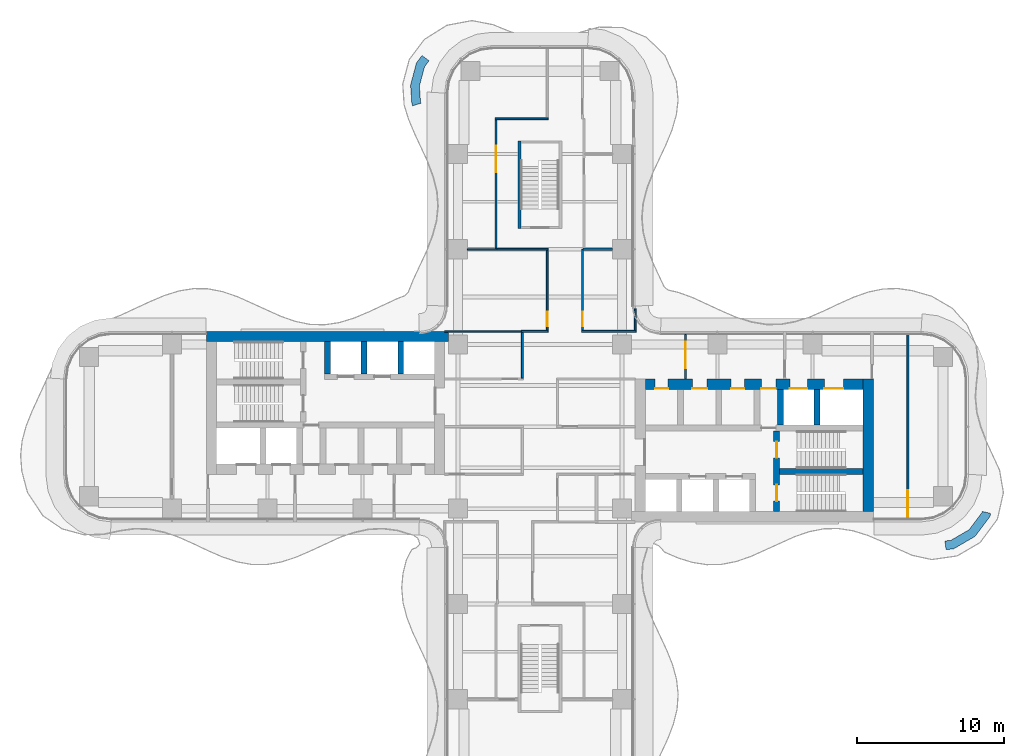
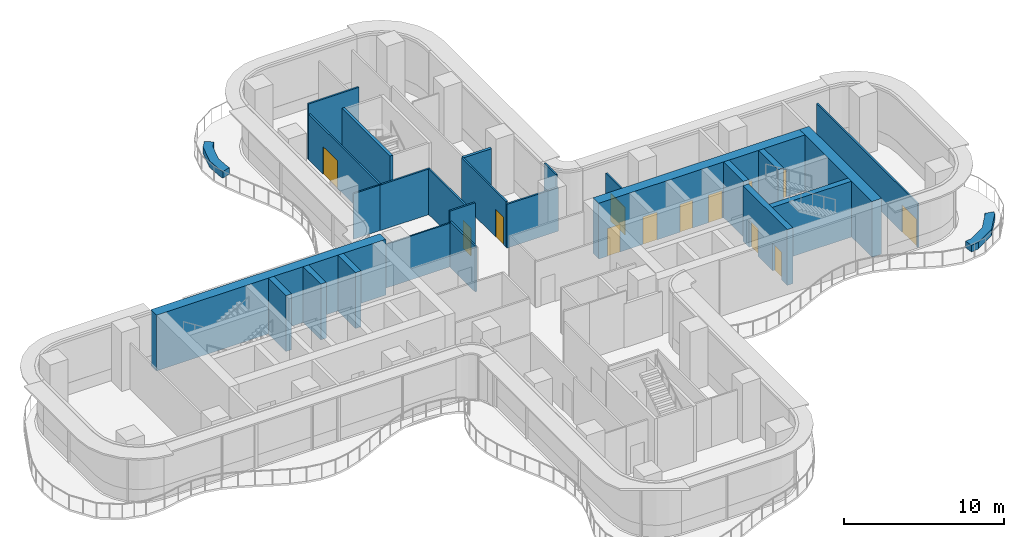
# One storey, part 17 of 20: 27 walls, 13 doors, 13 openings.
"""IFC4 building model written with IfcOpenShell, lengths in metres."""

from ifc_helpers import new_model, si_unit, direction, frame, frame_2d, origin, place, context, subcontext, project, spatial, polyline, rectangle, outline, extrude, source, transform, mapped, material, layer, layer_set, type_object, element, fill, save


model = new_model("IFC4")

# Units and contexts
model_context = context("Model", 3, precision=1e-05, world=origin(), true_north=direction((0.0, 1.0)))
body_context = subcontext(model_context, "Body", "Model", "MODEL_VIEW")
ifc_project = project(units=[si_unit("LENGTHUNIT", "METRE"), si_unit("AREAUNIT", "SQUARE_METRE"), si_unit("VOLUMEUNIT", "CUBIC_METRE"), si_unit("PLANEANGLEUNIT", "RADIAN"), si_unit("MASSUNIT", "GRAM", prefix="KILO")], contexts=[model_context])

# Site, building, storey
site_placement = place(None, origin())
site = spatial("IfcSite", under=ifc_project, at=site_placement, CompositionType="ELEMENT")
building_placement = place(site_placement, origin())
building = spatial("IfcBuilding", under=site, at=building_placement, Name="Trellis Farm Tower", CompositionType="ELEMENT")
storey_placement = place(building_placement, frame((0.0, 0.0, 129.0)))
storey = spatial("IfcBuildingStorey", under=building, at=storey_placement, Name="L27", CompositionType="ELEMENT", Elevation=129.0)

# Walls
ifc_material_1 = material(Name="Sandstone faced masonry planter", Category="masonry")
ifc_layer_1 = layer(ifc_material_1, 0.60009765625)
ifc_layer_set_1 = layer_set([ifc_layer_1], Name="PLANTER BED 600")
wall_type_1 = type_object("IfcWallType", Name="PLANTER BED 600", PredefinedType="USERDEFINED", material=ifc_layer_set_1)
placement = place(storey_placement, origin())
element("IfcWall", 1, at=placement, inside=storey, type_object=wall_type_1, Name="PLANTER bed", ObjectType="PLANTER", PredefinedType="USERDEFINED", context=body_context, shape_type="SweptSolid", body=[
    extrude(outline(polyline([(30.706298828125, -6.12158203125), (29.684814453125, -7.489013671875), (28.239990234375, -8.330078125), (27.70751953125, -8.400634765625), (27.628662109375, -7.805908203125), (28.0419921875, -7.751220703125), (29.277099609375, -7.031982421875), (30.150146484375, -5.86376953125), (30.168701171875, -5.782958984375), (30.75341796875, -5.917724609375), (30.706298828125, -6.12158203125)])), origin(), (0.0, 0.0, 1.0), 0.5),
])
element("IfcWall", 2, at=placement, inside=storey, type_object=wall_type_1, Name="PLANTER bed", ObjectType="PLANTER", PredefinedType="USERDEFINED", context=body_context, shape_type="SweptSolid", body=[
    extrude(outline(polyline([(-8.826904296875, 23.302001953125), (-8.42578125, 24.814208984375), (-8.0439453125, 25.3203125), (-7.56494140625, 24.958740234375), (-7.8759765625, 24.546630859375), (-8.2216796875, 23.243896484375), (-8.14892578125, 22.1806640625), (-8.11328125, 22.063720703125), (-8.686767578125, 21.8876953125), (-8.742919921875, 22.07080078125), (-8.826904296875, 23.302001953125)])), origin(), (0.0, 0.0, 1.0), 0.5),
])
ifc_material_2 = material(Name="Concrete C70/85", Category="concrete")
ifc_layer_2 = layer(ifc_material_2, 0.699951171875)
ifc_layer_set_2 = layer_set([ifc_layer_2], Name="CORE OUTER WALL 700 CONCRETE C70/85")
wall_type_2 = type_object("IfcWallType", Name="CORE OUTER WALL 700 CONCRETE C70/85", PredefinedType="SHEAR", material=ifc_layer_set_2)
shared_shape_1 = source(origin(), body_context, "Body", "SweptSolid", [
    extrude(rectangle(XDim=9.050048828125, YDim=0.699951171875, at=frame_2d((4.52490234375, 0.0))), origin(), (0.0, 0.0, 1.0), 4.25),
])
wall_3_placement = place(storey_placement, frame((22.39990234375, -5.800048828125, 0.0), z_axis=(0.0, 0.0, 1.0), x_axis=(0.0, 1.0, 0.0)))
element("IfcWall", 3, at=wall_3_placement, inside=storey, type_object=wall_type_2, Name="Core wall", PredefinedType="SHEAR", context=body_context, shape_type="MappedRepresentation", body=[
    mapped(shared_shape_1, transform((0.0, 0.0, 0.0))),
])
ifc_layer_3 = layer(ifc_material_2, 0.39990234375)
ifc_layer_set_3 = layer_set([ifc_layer_3], Name="CORE INNER WALL 400 CONCRETE C70/85")
wall_type_3 = type_object("IfcWallType", Name="CORE INNER WALL 400 CONCRETE C70/85", PredefinedType="SHEAR", material=ifc_layer_set_3)
shared_shape_2 = source(origin(), body_context, "Body", "SweptSolid", [
    extrude(rectangle(XDim=2.199951171875, YDim=0.39990234375, at=frame_2d((1.10009765625, 0.0))), origin(), (0.0, 0.0, 1.0), 4.25),
])
for number, where, z_axis, x_axis, name in (
    (4, (-9.5, 5.800048828125, 0.0), (0.0, 0.0, 1.0), (0.0, -1.0, 0.0), "Core wall"),
    (5, (-12.0, 5.800048828125, 0.0), (0.0, 0.0, 1.0), (0.0, -1.0, 0.0), "Core wall"),
    (6, (-14.5, 5.800048828125, 0.0), (0.0, 0.0, 1.0), (0.0, -1.0, 0.0), "Core wall"),
):
    element("IfcWall", number, at=place(storey_placement, frame(where, z_axis=z_axis, x_axis=x_axis)), inside=storey, type_object=wall_type_3, Name=name, PredefinedType="SHEAR", context=body_context, shape_type="MappedRepresentation", body=[
        mapped(shared_shape_2, transform((0.0, 0.0, 0.0))),
    ])
shared_shape_3 = source(origin(), body_context, "Body", "SweptSolid", [
    extrude(rectangle(XDim=2.449951171875, YDim=0.39990234375, at=frame_2d((1.22509765625, 0.0))), origin(), (0.0, 0.0, 1.0), 4.25),
])
for number, where, z_axis, x_axis, name in (
    (7, (16.39990234375, 0.10009765625, 0.0), (0.0, 0.0, 1.0), (0.0, 1.0, 0.0), "Core wall"),
    (8, (18.89990234375, 0.10009765625, 0.0), (0.0, 0.0, 1.0), (0.0, 1.0, 0.0), "Core wall"),
):
    element("IfcWall", number, at=place(storey_placement, frame(where, z_axis=z_axis, x_axis=x_axis)), inside=storey, type_object=wall_type_3, Name=name, PredefinedType="SHEAR", context=body_context, shape_type="MappedRepresentation", body=[
        mapped(shared_shape_3, transform((0.0, 0.0, 0.0))),
    ])

# Wall, openings, doors
shared_shape_4 = source(origin(), body_context, "Body", "SweptSolid", [
    extrude(rectangle(XDim=14.85009765625, YDim=0.699951171875, at=frame_2d((7.425048828125, 0.0))), origin(), (0.0, 0.0, 1.0), 4.25),
])
wall_4_placement = place(storey_placement, frame((7.199951171875, 2.89990234375, 0.0), z_axis=(0.0, 0.0, 1.0), x_axis=(1.0, 0.0, 0.0)))
wall_4 = element("IfcWall", 9, at=wall_4_placement, inside=storey, type_object=wall_type_2, Name="Core wall", PredefinedType="SHEAR", context=body_context, shape_type="MappedRepresentation", body=[
    mapped(shared_shape_4, transform((0.0, 0.0, 0.0))),
])
shared_shape_5 = source(origin(), body_context, "Body", "SweptSolid", [
    extrude(rectangle(XDim=1.300048828125, YDim=2.10009765625, at=frame_2d((0.64990234375, 1.050048828125))), frame((0.0, 0.360107421875, 0.0), z_axis=(0.0, -1.0, 0.0), x_axis=(1.0, 0.0, 0.0)), (0.0, 0.0, 1.0), 0.72021484375),
])
opening_1_placement = place(wall_4_placement, frame((12.199951171875, 0.0, 0.0)))
opening_1 = element("IfcOpeningElement", 10, at=opening_1_placement, cuts=wall_4, Name="Opening LD7", PredefinedType="OPENING", context=body_context, shape_type="MappedRepresentation", body=[
    mapped(shared_shape_5, transform((0.0, 0.0, 0.0))),
])
shared_shape_6 = source(origin(), body_context, "Body", "SweptSolid", [
    extrude(rectangle(XDim=1.199951171875, YDim=2.10009765625, at=frame_2d((0.60009765625, 1.050048828125))), frame((0.0, 0.360107421875, 0.0), z_axis=(0.0, -1.0, 0.0), x_axis=(1.0, 0.0, 0.0)), (0.0, 0.0, 1.0), 0.72021484375),
])
opening_2_placement = place(wall_4_placement, frame((9.85009765625, 0.0, 0.0)))
opening_2 = element("IfcOpeningElement", 11, at=opening_2_placement, cuts=wall_4, Name="Opening LD8", PredefinedType="OPENING", context=body_context, shape_type="MappedRepresentation", body=[
    mapped(shared_shape_6, transform((0.0, 0.0, 0.0))),
])
shared_shape_7 = source(origin(), body_context, "Body", "SweptSolid", [
    extrude(rectangle(XDim=1.0, YDim=2.10009765625, at=frame_2d((0.5, 1.050048828125))), frame((0.0, 0.360107421875, 0.0), z_axis=(0.0, -1.0, 0.0), x_axis=(1.0, 0.0, 0.0)), (0.0, 0.0, 1.0), 0.72021484375),
])
opening_3_placement = place(wall_4_placement, frame((7.89990234375, 0.0, 0.0)))
opening_3 = element("IfcOpeningElement", 12, at=opening_3_placement, cuts=wall_4, Name="Opening DC6", PredefinedType="OPENING", context=body_context, shape_type="MappedRepresentation", body=[
    mapped(shared_shape_7, transform((0.0, 0.0, 0.0))),
])
shared_shape_8 = source(origin(), body_context, "Body", "SweptSolid", [
    extrude(rectangle(XDim=0.89990234375, YDim=2.10009765625, at=frame_2d((0.449951171875, 1.050048828125))), frame((0.0, 0.360107421875, 0.0), z_axis=(0.0, -1.0, 0.0), x_axis=(1.0, 0.0, 0.0)), (0.0, 0.0, 1.0), 0.72021484375),
])
opening_4_placement = place(wall_4_placement, frame((0.64990234375, 0.0, 0.0)))
opening_4 = element("IfcOpeningElement", 13, at=opening_4_placement, cuts=wall_4, Name="Opening DC11", PredefinedType="OPENING", context=body_context, shape_type="MappedRepresentation", body=[
    mapped(shared_shape_8, transform((0.0, 0.0, 0.0))),
])
opening_5_placement = place(wall_4_placement, frame((3.199951171875, 0.0, 0.0)))
opening_5 = element("IfcOpeningElement", 14, at=opening_5_placement, cuts=wall_4, Name="Opening DC26", PredefinedType="OPENING", context=body_context, shape_type="MappedRepresentation", body=[
    mapped(shared_shape_7, transform((0.0, 0.0, 0.0))),
])
opening_6_placement = place(wall_4_placement, frame((5.85009765625, 0.0, 0.0)))
opening_6 = element("IfcOpeningElement", 15, at=opening_6_placement, cuts=wall_4, Name="Opening DC35", PredefinedType="OPENING", context=body_context, shape_type="MappedRepresentation", body=[
    mapped(shared_shape_8, transform((0.0, 0.0, 0.0))),
])
ifc_material_3 = material(Name="Steel", Category="steel")
door_type_1 = type_object("IfcDoorType", Name="CORE FIRE DOOR 1000 X 2100", OperationType="NOTDEFINED", PredefinedType="DOOR", material=ifc_material_3)
shared_shape_9 = source(origin(), body_context, "Body", "SweptSolid", [
    extrude(rectangle(XDim=1.0, YDim=2.10009765625, at=frame_2d((0.5, 1.050048828125))), frame((0.0, -0.27490234375, 0.0), z_axis=(0.0, -1.0, 0.0), x_axis=(1.0, 0.0, 0.0)), (0.0, 0.0, 1.0), 0.050048828125),
])
door_1_placement = place(opening_3_placement, origin())
door_1 = element("IfcDoor", 16, at=door_1_placement, inside=storey, type_object=door_type_1, Name="Core door", OperationType="SINGLE_SWING_LEFT", OverallHeight=2.10009765625, OverallWidth=1.0, PredefinedType="DOOR", context=body_context, shape_type="MappedRepresentation", body=[
    mapped(shared_shape_9, transform((0.0, 0.0, 0.0))),
])
fill(opening_3, door_1)
door_2_placement = place(opening_5_placement, origin())
door_2 = element("IfcDoor", 17, at=door_2_placement, inside=storey, type_object=door_type_1, Name="Core door", OperationType="SINGLE_SWING_RIGHT", OverallHeight=2.10009765625, OverallWidth=1.0, PredefinedType="DOOR", context=body_context, shape_type="MappedRepresentation", body=[
    mapped(shared_shape_9, transform((0.0, 0.0, 0.0))),
])
fill(opening_5, door_2)
door_type_2 = type_object("IfcDoorType", Name="CORE FIRE DOOR 900 X 2100", OperationType="NOTDEFINED", PredefinedType="DOOR", material=ifc_material_3)
shared_shape_10 = source(origin(), body_context, "Body", "SweptSolid", [
    extrude(rectangle(XDim=0.89990234375, YDim=2.10009765625, at=frame_2d((0.449951171875, 1.050048828125))), frame((0.0, -0.27490234375, 0.0), z_axis=(0.0, -1.0, 0.0), x_axis=(1.0, 0.0, 0.0)), (0.0, 0.0, 1.0), 0.050048828125),
])
door_3_placement = place(opening_4_placement, origin())
door_3 = element("IfcDoor", 18, at=door_3_placement, inside=storey, type_object=door_type_2, Name="Core door", OperationType="SINGLE_SWING_LEFT", OverallHeight=2.10009765625, OverallWidth=0.89990234375, PredefinedType="DOOR", context=body_context, shape_type="MappedRepresentation", body=[
    mapped(shared_shape_10, transform((0.0, 0.0, 0.0))),
])
fill(opening_4, door_3)
door_4_placement = place(opening_6_placement, origin())
door_4 = element("IfcDoor", 19, at=door_4_placement, inside=storey, type_object=door_type_2, Name="Core door", OperationType="SINGLE_SWING_LEFT", OverallHeight=2.10009765625, OverallWidth=0.89990234375, PredefinedType="DOOR", context=body_context, shape_type="MappedRepresentation", body=[
    mapped(shared_shape_10, transform((0.0, 0.0, 0.0))),
])
fill(opening_6, door_4)
ifc_material_4 = material(Name="Stainless steel", Category="steel")
door_type_3 = type_object("IfcDoorType", Name="LIFT LANDING DOOR 1300 X 2100", OperationType="DOUBLE_DOOR_SLIDING", PredefinedType="DOOR", material=ifc_material_4)
shared_shape_11 = source(origin(), body_context, "Body", "SweptSolid", [
    extrude(rectangle(XDim=1.300048828125, YDim=2.10009765625, at=frame_2d((0.64990234375, 1.050048828125))), frame((0.0, -0.27490234375, 0.0), z_axis=(0.0, -1.0, 0.0), x_axis=(1.0, 0.0, 0.0)), (0.0, 0.0, 1.0), 0.050048828125),
])
door_5_placement = place(opening_1_placement, origin())
door_5 = element("IfcDoor", 20, at=door_5_placement, inside=storey, type_object=door_type_3, Name="Lift landing door", OperationType="DOUBLE_DOOR_SLIDING", OverallHeight=2.10009765625, OverallWidth=1.300048828125, PredefinedType="DOOR", context=body_context, shape_type="MappedRepresentation", body=[
    mapped(shared_shape_11, transform((0.0, 0.0, 0.0))),
])
fill(opening_1, door_5)
door_type_4 = type_object("IfcDoorType", Name="LIFT LANDING DOOR 1200 X 2100", OperationType="DOUBLE_DOOR_SLIDING", PredefinedType="DOOR", material=ifc_material_4)
shared_shape_12 = source(origin(), body_context, "Body", "SweptSolid", [
    extrude(rectangle(XDim=1.199951171875, YDim=2.10009765625, at=frame_2d((0.60009765625, 1.050048828125))), frame((0.0, -0.27490234375, 0.0), z_axis=(0.0, -1.0, 0.0), x_axis=(1.0, 0.0, 0.0)), (0.0, 0.0, 1.0), 0.050048828125),
])
door_6_placement = place(opening_2_placement, origin())
door_6 = element("IfcDoor", 21, at=door_6_placement, inside=storey, type_object=door_type_4, Name="Lift landing door", OperationType="DOUBLE_DOOR_SLIDING", OverallHeight=2.10009765625, OverallWidth=1.199951171875, PredefinedType="DOOR", context=body_context, shape_type="MappedRepresentation", body=[
    mapped(shared_shape_12, transform((0.0, 0.0, 0.0))),
])
fill(opening_2, door_6)

shared_shape_13 = source(origin(), body_context, "Body", "SweptSolid", [
    extrude(rectangle(XDim=5.5, YDim=0.39990234375, at=frame_2d((2.75, 0.0))), origin(), (0.0, 0.0, 1.0), 4.25),
])
wall_5_placement = place(storey_placement, frame((16.14990234375, -5.800048828125, 0.0), z_axis=(0.0, 0.0, 1.0), x_axis=(0.0, 1.0, 0.0)))
wall_5 = element("IfcWall", 22, at=wall_5_placement, inside=storey, type_object=wall_type_3, Name="Core wall", PredefinedType="SHEAR", context=body_context, shape_type="MappedRepresentation", body=[
    mapped(shared_shape_13, transform((0.0, 0.0, 0.0))),
])
shared_shape_14 = source(origin(), body_context, "Body", "SweptSolid", [
    extrude(rectangle(XDim=1.10009765625, YDim=2.10009765625, at=frame_2d((0.550048828125, 1.050048828125))), frame((0.0, 0.2099609375, 0.0), z_axis=(0.0, -1.0, 0.0), x_axis=(1.0, 0.0, 0.0)), (0.0, 0.0, 1.0), 0.419921875),
])
opening_7_placement = place(wall_5_placement, frame((0.72509765625, 0.0, 0.0)))
opening_7 = element("IfcOpeningElement", 23, at=opening_7_placement, cuts=wall_5, Name="Opening DC2", PredefinedType="OPENING", context=body_context, shape_type="MappedRepresentation", body=[
    mapped(shared_shape_14, transform((0.0, 0.0, 0.0))),
])
opening_8_placement = place(wall_5_placement, frame((3.675048828125, 0.0, 0.0)))
opening_8 = element("IfcOpeningElement", 24, at=opening_8_placement, cuts=wall_5, Name="Opening DC3", PredefinedType="OPENING", context=body_context, shape_type="MappedRepresentation", body=[
    mapped(shared_shape_14, transform((0.0, 0.0, 0.0))),
])
door_type_5 = type_object("IfcDoorType", Name="CORE FIRE DOOR 1100 X 2100", OperationType="NOTDEFINED", PredefinedType="DOOR", material=ifc_material_3)
shared_shape_15 = source(origin(), body_context, "Body", "SweptSolid", [
    extrude(rectangle(XDim=1.10009765625, YDim=2.10009765625, at=frame_2d((0.550048828125, 1.050048828125))), frame((0.0, 0.02490234375, 0.0), z_axis=(0.0, -1.0, 0.0), x_axis=(1.0, 0.0, 0.0)), (0.0, 0.0, 1.0), 0.050048828125),
])
door_7_placement = place(opening_7_placement, origin())
door_7 = element("IfcDoor", 25, at=door_7_placement, inside=storey, type_object=door_type_5, Name="Core door", OperationType="SINGLE_SWING_RIGHT", OverallHeight=2.10009765625, OverallWidth=1.10009765625, PredefinedType="DOOR", context=body_context, shape_type="MappedRepresentation", body=[
    mapped(shared_shape_15, transform((0.0, 0.0, 0.0))),
])
fill(opening_7, door_7)
door_8_placement = place(opening_8_placement, origin())
door_8 = element("IfcDoor", 26, at=door_8_placement, inside=storey, type_object=door_type_5, Name="Core door", OperationType="SINGLE_SWING_LEFT", OverallHeight=2.10009765625, OverallWidth=1.10009765625, PredefinedType="DOOR", context=body_context, shape_type="MappedRepresentation", body=[
    mapped(shared_shape_15, transform((0.0, 0.0, 0.0))),
])
fill(opening_8, door_8)

# Walls
shared_shape_16 = source(origin(), body_context, "Body", "SweptSolid", [
    extrude(rectangle(XDim=5.699951171875, YDim=0.39990234375, at=frame_2d((2.85009765625, 0.0))), origin(), (0.0, 0.0, 1.0), 4.25),
])
wall_6_placement = place(storey_placement, frame((16.35009765625, -3.050048828125, 0.0), z_axis=(0.0, 0.0, 1.0), x_axis=(1.0, 0.0, 0.0)))
element("IfcWall", 27, at=wall_6_placement, inside=storey, type_object=wall_type_3, Name="Core wall", PredefinedType="SHEAR", context=body_context, shape_type="MappedRepresentation", body=[
    mapped(shared_shape_16, transform((0.0, 0.0, 0.0))),
])
shared_shape_17 = source(origin(), body_context, "Body", "SweptSolid", [
    extrude(rectangle(XDim=16.5, YDim=0.699951171875, at=frame_2d((8.25, 0.0))), origin(), (0.0, 0.0, 1.0), 4.25),
])
wall_7_placement = place(storey_placement, frame((-6.25, 6.14990234375, 0.0), z_axis=(0.0, 0.0, 1.0), x_axis=(-1.0, 0.0, 0.0)))
element("IfcWall", 28, at=wall_7_placement, inside=storey, type_object=wall_type_2, Name="Core wall", PredefinedType="SHEAR", context=body_context, shape_type="MappedRepresentation", body=[
    mapped(shared_shape_17, transform((0.0, 0.0, 0.0))),
])
ifc_layer_4 = layer(ifc_material_2, 0.199951171875)
ifc_layer_set_4 = layer_set([ifc_layer_4], Name="CORE STAIR ENCLOSURE WALL 200 CONCRETE C70/85")
wall_type_4 = type_object("IfcWallType", Name="CORE STAIR ENCLOSURE WALL 200 CONCRETE C70/85", PredefinedType="SHEAR", material=ifc_layer_set_4)
shared_shape_18 = source(origin(), body_context, "Body", "SweptSolid", [
    extrude(rectangle(XDim=6.0, YDim=0.199951171875, at=frame_2d((3.0, 0.0))), origin(), (0.0, 0.0, 1.0), 4.25),
])
wall_8_placement = place(storey_placement, frame((-1.39990234375, 13.5, 0.0), z_axis=(0.0, 0.0, 1.0), x_axis=(0.0, 1.0, 0.0)))
element("IfcWall", 29, at=wall_8_placement, inside=storey, type_object=wall_type_4, Name="Stair enclosure wall", PredefinedType="SHEAR", context=body_context, shape_type="MappedRepresentation", body=[
    mapped(shared_shape_18, transform((0.0, 0.0, 0.0))),
])

# Wall, opening, door
ifc_material_5 = material(Name="Plasterboard on steel studs, mineral wool", Category="steel")
ifc_layer_5 = layer(ifc_material_5, 0.125)
ifc_layer_set_5 = layer_set([ifc_layer_5], Name="PARTITION 125 STUD EI 60")
wall_type_5 = type_object("IfcWallType", Name="PARTITION 125 STUD EI 60", PredefinedType="PARTITIONING", material=ifc_layer_set_5)
shared_shape_19 = source(origin(), body_context, "Body", "SweptSolid", [
    extrude(rectangle(XDim=5.47509765625, YDim=0.125, at=frame_2d((2.737548828125, 0.0))), origin(), (0.0, 0.0, 1.0), 3.4677734375),
])
wall_9_placement = place(storey_placement, frame((0.5, 12.03759765625, 0.0), z_axis=(0.0, 0.0, 1.0), x_axis=(0.0, -1.0, 0.0)))
wall_9 = element("IfcWall", 30, at=wall_9_placement, inside=storey, type_object=wall_type_5, Name="Partition PW1", PredefinedType="PARTITIONING", context=body_context, shape_type="MappedRepresentation", body=[
    mapped(shared_shape_19, transform((0.0, 0.0, 0.0))),
])
shared_shape_20 = source(origin(), body_context, "Body", "SweptSolid", [
    extrude(rectangle(XDim=1.0, YDim=2.10009765625, at=frame_2d((0.5, 1.050048828125))), frame((0.0, 0.072509765625, 0.0), z_axis=(0.0, -1.0, 0.0), x_axis=(1.0, 0.0, 0.0)), (0.0, 0.0, 1.0), 0.14501953125),
])
opening_9_placement = place(wall_9_placement, frame((4.1875, 0.0, 0.0)))
opening_9 = element("IfcOpeningElement", 31, at=opening_9_placement, cuts=wall_9, Name="Opening D106", PredefinedType="OPENING", context=body_context, shape_type="MappedRepresentation", body=[
    mapped(shared_shape_20, transform((0.0, 0.0, 0.0))),
])
ifc_material_6 = material(Name="Fire-rated timber door leaf in a hollow metal frame", Category="wood")
door_type_6 = type_object("IfcDoorType", Name="DOOR 1000x2100 FD30S", OperationType="NOTDEFINED", PredefinedType="DOOR", material=ifc_material_6)
shared_shape_21 = source(origin(), body_context, "Body", "SweptSolid", [
    extrude(rectangle(XDim=1.0, YDim=2.10009765625, at=frame_2d((0.5, 1.050048828125))), frame((0.0, 0.02490234375, 0.0), z_axis=(0.0, -1.0, 0.0), x_axis=(1.0, 0.0, 0.0)), (0.0, 0.0, 1.0), 0.050048828125),
])
door_9_placement = place(opening_9_placement, origin())
door_9 = element("IfcDoor", 32, at=door_9_placement, inside=storey, type_object=door_type_6, Name="Door D106", OperationType="SINGLE_SWING_RIGHT", OverallHeight=2.10009765625, OverallWidth=1.0, PredefinedType="DOOR", context=body_context, shape_type="MappedRepresentation", body=[
    mapped(shared_shape_21, transform((0.0, 0.0, 0.0))),
])
fill(opening_9, door_9)

# Walls
shared_shape_22 = source(origin(), body_context, "Body", "SweptSolid", [
    extrude(rectangle(XDim=1.468994140625, YDim=0.125, at=frame_2d((0.734375, 0.0))), origin(), (0.0, 0.0, 1.0), 4.25),
])
wall_10_placement = place(storey_placement, frame((6.5, 6.5625, 0.0), z_axis=(0.0, 0.0, 1.0), x_axis=(0.0, 1.0, 0.0)))
element("IfcWall", 33, at=wall_10_placement, inside=storey, type_object=wall_type_5, Name="Partition PW1", PredefinedType="PARTITIONING", context=body_context, shape_type="MappedRepresentation", body=[
    mapped(shared_shape_22, transform((0.0, 0.0, 0.0))),
])
shared_shape_23 = source(origin(), body_context, "Body", "SweptSolid", [
    extrude(rectangle(XDim=3.137451171875, YDim=0.125, at=frame_2d((1.56884765625, 0.0))), origin(), (0.0, 0.0, 1.0), 3.4677734375),
])
wall_11_placement = place(storey_placement, frame((-1.199951171875, 6.449951171875, 0.0), z_axis=(0.0, 0.0, 1.0), x_axis=(0.0, -1.0, 0.0)))
element("IfcWall", 34, at=wall_11_placement, inside=storey, type_object=wall_type_5, Name="Partition PW1", PredefinedType="PARTITIONING", context=body_context, shape_type="MappedRepresentation", body=[
    mapped(shared_shape_23, transform((0.0, 0.0, 0.0))),
])
ifc_material_7 = material(Name="Plasterboard on steel studs", Category="steel")
ifc_layer_6 = layer(ifc_material_7, 0.10009765625)
ifc_layer_set_6 = layer_set([ifc_layer_6], Name="PARTITION 100 STUD EI 30")
wall_type_6 = type_object("IfcWallType", Name="PARTITION 100 STUD EI 30", PredefinedType="PARTITIONING", material=ifc_layer_set_6)
shared_shape_24 = source(origin(), body_context, "Body", "SweptSolid", [
    extrude(rectangle(XDim=5.362548828125, YDim=0.10009765625, at=frame_2d((2.68115234375, 0.0))), origin(), (0.0, 0.0, 1.0), 3.330078125),
])
wall_12_placement = place(storey_placement, frame((-6.5, 6.5, 0.0), z_axis=(0.0, 0.0, 1.0), x_axis=(1.0, 0.0, 0.0)))
element("IfcWall", 35, at=wall_12_placement, inside=storey, type_object=wall_type_6, Name="Partition PW2", PredefinedType="PARTITIONING", context=body_context, shape_type="MappedRepresentation", body=[
    mapped(shared_shape_24, transform((0.0, 0.0, 0.0))),
])

# Wall, opening, door
shared_shape_25 = source(origin(), body_context, "Body", "SweptSolid", [
    extrude(rectangle(XDim=8.78759765625, YDim=0.125, at=frame_2d((4.393798828125, 0.0))), origin(), (0.0, 0.0, 1.0), 3.4677734375),
])
wall_13_placement = place(storey_placement, frame((-3.0, 12.14990234375, 0.0), z_axis=(0.0, 0.0, 1.0), x_axis=(0.0, 1.0, 0.0)))
wall_13 = element("IfcWall", 36, at=wall_13_placement, inside=storey, type_object=wall_type_5, Name="Partition PW1", PredefinedType="PARTITIONING", context=body_context, shape_type="MappedRepresentation", body=[
    mapped(shared_shape_25, transform((0.0, 0.0, 0.0))),
])
shared_shape_26 = source(origin(), body_context, "Body", "SweptSolid", [
    extrude(rectangle(XDim=1.800048828125, YDim=2.10009765625, at=frame_2d((0.89990234375, 1.050048828125))), frame((0.0, 0.072509765625, 0.0), z_axis=(0.0, -1.0, 0.0), x_axis=(1.0, 0.0, 0.0)), (0.0, 0.0, 1.0), 0.14501953125),
])
opening_10_placement = place(wall_13_placement, frame((5.199951171875, 0.0, 0.0)))
opening_10 = element("IfcOpeningElement", 37, at=opening_10_placement, cuts=wall_13, Name="Opening D203", PredefinedType="OPENING", context=body_context, shape_type="MappedRepresentation", body=[
    mapped(shared_shape_26, transform((0.0, 0.0, 0.0))),
])
door_type_7 = type_object("IfcDoorType", Name="DOOR PAIR 1800x2100 FD30S", OperationType="NOTDEFINED", PredefinedType="DOOR", material=ifc_material_6)
shared_shape_27 = source(origin(), body_context, "Body", "SweptSolid", [
    extrude(rectangle(XDim=1.800048828125, YDim=2.10009765625, at=frame_2d((0.89990234375, 1.050048828125))), frame((0.0, 0.02490234375, 0.0), z_axis=(0.0, -1.0, 0.0), x_axis=(1.0, 0.0, 0.0)), (0.0, 0.0, 1.0), 0.050048828125),
])
door_10_placement = place(opening_10_placement, origin())
door_10 = element("IfcDoor", 38, at=door_10_placement, inside=storey, type_object=door_type_7, Name="Door D203", OperationType="DOUBLE_DOOR_SINGLE_SWING", OverallHeight=2.10009765625, OverallWidth=1.800048828125, PredefinedType="DOOR", context=body_context, shape_type="MappedRepresentation", body=[
    mapped(shared_shape_27, transform((0.0, 0.0, 0.0))),
])
fill(opening_10, door_10)

shared_shape_28 = source(origin(), body_context, "Body", "SweptSolid", [
    extrude(rectangle(XDim=3.050048828125, YDim=0.125, at=frame_2d((1.52490234375, 0.0))), origin(), (0.0, 0.0, 1.0), 3.330078125),
])
wall_14_placement = place(storey_placement, frame((9.93408203125, 3.25, 0.0), z_axis=(0.0, 0.0, 1.0), x_axis=(0.0, 1.0, 0.0)))
wall_14 = element("IfcWall", 39, at=wall_14_placement, inside=storey, type_object=wall_type_5, Name="Partition PW1", PredefinedType="PARTITIONING", context=body_context, shape_type="MappedRepresentation", body=[
    mapped(shared_shape_28, transform((0.0, 0.0, 0.0))),
])
opening_11_placement = place(wall_14_placement, frame((0.72509765625, 0.0, 0.0)))
opening_11 = element("IfcOpeningElement", 40, at=opening_11_placement, cuts=wall_14, Name="Opening D402", PredefinedType="OPENING", context=body_context, shape_type="MappedRepresentation", body=[
    mapped(shared_shape_26, transform((0.0, 0.0, 0.0))),
])
door_type_8 = type_object("IfcDoorType", Name="DOOR PAIR 1800x2100 FD60", OperationType="NOTDEFINED", PredefinedType="DOOR", material=ifc_material_6)
door_11_placement = place(opening_11_placement, origin())
door_11 = element("IfcDoor", 41, at=door_11_placement, inside=storey, type_object=door_type_8, Name="Door D402", OperationType="DOUBLE_DOOR_SINGLE_SWING", OverallHeight=2.10009765625, OverallWidth=1.800048828125, PredefinedType="DOOR", context=body_context, shape_type="MappedRepresentation", body=[
    mapped(shared_shape_27, transform((0.0, 0.0, 0.0))),
])
fill(opening_11, door_11)

shared_shape_29 = source(origin(), body_context, "Body", "SweptSolid", [
    extrude(rectangle(XDim=5.53759765625, YDim=0.125, at=frame_2d((2.768798828125, 0.0))), origin(), (0.0, 0.0, 1.0), 3.4677734375),
])
wall_15_placement = place(storey_placement, frame((2.89990234375, 12.10009765625, 0.0), z_axis=(0.0, 0.0, 1.0), x_axis=(0.0, -1.0, 0.0)))
wall_15 = element("IfcWall", 42, at=wall_15_placement, inside=storey, type_object=wall_type_5, Name="Partition PW1", PredefinedType="PARTITIONING", context=body_context, shape_type="MappedRepresentation", body=[
    mapped(shared_shape_29, transform((0.0, 0.0, 0.0))),
])
opening_12_placement = place(wall_15_placement, frame((4.25, 0.0, 0.0)))
opening_12 = element("IfcOpeningElement", 43, at=opening_12_placement, cuts=wall_15, Name="Opening D302", PredefinedType="OPENING", context=body_context, shape_type="MappedRepresentation", body=[
    mapped(shared_shape_20, transform((0.0, 0.0, 0.0))),
])
door_type_9 = type_object("IfcDoorType", Name="DOOR 1000x2100 FD60", OperationType="NOTDEFINED", PredefinedType="DOOR", material=ifc_material_6)
door_12_placement = place(opening_12_placement, origin())
door_12 = element("IfcDoor", 44, at=door_12_placement, inside=storey, type_object=door_type_9, Name="Door D302", OperationType="SINGLE_SWING_RIGHT", OverallHeight=2.10009765625, OverallWidth=1.0, PredefinedType="DOOR", context=body_context, shape_type="MappedRepresentation", body=[
    mapped(shared_shape_21, transform((0.0, 0.0, 0.0))),
])
fill(opening_12, door_12)

# Walls
shared_shape_30 = source(origin(), body_context, "Body", "SweptSolid", [
    extrude(rectangle(XDim=1.824951171875, YDim=0.125, at=frame_2d((0.91259765625, 0.0))), origin(), (0.0, 0.0, 1.0), 4.25),
])
wall_16_placement = place(storey_placement, frame((-1.262451171875, 6.5, 0.0), z_axis=(0.0, 0.0, 1.0), x_axis=(1.0, 0.0, 0.0)))
element("IfcWall", 45, at=wall_16_placement, inside=storey, type_object=wall_type_5, Name="Partition PW1", PredefinedType="PARTITIONING", context=body_context, shape_type="MappedRepresentation", body=[
    mapped(shared_shape_30, transform((0.0, 0.0, 0.0))),
])
shared_shape_31 = source(origin(), body_context, "Body", "SweptSolid", [
    extrude(rectangle(XDim=3.72509765625, YDim=0.125, at=frame_2d((1.862548828125, 0.0))), origin(), (0.0, 0.0, 1.0), 3.330078125),
])
wall_17_placement = place(storey_placement, frame((2.83740234375, 6.5, 0.0), z_axis=(0.0, 0.0, 1.0), x_axis=(1.0, 0.0, 0.0)))
element("IfcWall", 46, at=wall_17_placement, inside=storey, type_object=wall_type_5, Name="Partition PW1", PredefinedType="PARTITIONING", context=body_context, shape_type="MappedRepresentation", body=[
    mapped(shared_shape_31, transform((0.0, 0.0, 0.0))),
])
shared_shape_32 = source(origin(), body_context, "Body", "SweptSolid", [
    extrude(rectangle(XDim=3.625, YDim=0.125, at=frame_2d((1.8125, 0.0))), origin(), (0.0, 0.0, 1.0), 3.4677734375),
])
wall_18_placement = place(storey_placement, frame((0.5625, 12.10009765625, 0.0), z_axis=(0.0, 0.0, 1.0), x_axis=(-1.0, 0.0, 0.0)))
element("IfcWall", 47, at=wall_18_placement, inside=storey, type_object=wall_type_5, Name="Partition PW1", PredefinedType="PARTITIONING", context=body_context, shape_type="MappedRepresentation", body=[
    mapped(shared_shape_32, transform((0.0, 0.0, 0.0))),
])

# Wall, opening, door
shared_shape_33 = source(origin(), body_context, "Body", "SweptSolid", [
    extrude(rectangle(XDim=12.60009765625, YDim=0.125, at=frame_2d((6.300048828125, 0.0))), origin(), (0.0, 0.0, 1.0), 3.330078125),
])
wall_19_placement = place(storey_placement, frame((25.10009765625, 6.300048828125, 0.0), z_axis=(0.0, 0.0, 1.0), x_axis=(0.0, -1.0, 0.0)))
wall_19 = element("IfcWall", 48, at=wall_19_placement, inside=storey, type_object=wall_type_5, Name="Partition PW1", PredefinedType="PARTITIONING", context=body_context, shape_type="MappedRepresentation", body=[
    mapped(shared_shape_33, transform((0.0, 0.0, 0.0))),
])
opening_13_placement = place(wall_19_placement, frame((10.64990234375, 0.0, 0.0)))
opening_13 = element("IfcOpeningElement", 49, at=opening_13_placement, cuts=wall_19, Name="Opening D202", PredefinedType="OPENING", context=body_context, shape_type="MappedRepresentation", body=[
    mapped(shared_shape_26, transform((0.0, 0.0, 0.0))),
])
door_13_placement = place(opening_13_placement, origin())
door_13 = element("IfcDoor", 50, at=door_13_placement, inside=storey, type_object=door_type_7, Name="Door D202", OperationType="DOUBLE_DOOR_SINGLE_SWING", OverallHeight=2.10009765625, OverallWidth=1.800048828125, PredefinedType="DOOR", context=body_context, shape_type="MappedRepresentation", body=[
    mapped(shared_shape_27, transform((0.0, 0.0, 0.0))),
])
fill(opening_13, door_13)

# Walls
ifc_material_8 = material(Name="Lightweight blockwork, plastered", Category="masonry")
ifc_layer_7 = layer(ifc_material_8, 0.199951171875)
ifc_layer_set_7 = layer_set([ifc_layer_7], Name="BLOCK WALL 200 EI 120")
wall_type_7 = type_object("IfcWallType", Name="BLOCK WALL 200 EI 120", PredefinedType="PARTITIONING", material=ifc_layer_set_7)
shared_shape_34 = source(origin(), body_context, "Body", "SweptSolid", [
    extrude(rectangle(XDim=2.012451171875, YDim=0.199951171875, at=frame_2d((1.00634765625, 0.0))), origin(), (0.0, 0.0, 1.0), 3.4677734375),
])
wall_20_placement = place(storey_placement, frame((2.9375, 12.10009765625, 0.0), z_axis=(0.0, 0.0, 1.0), x_axis=(1.0, 0.0, 0.0)))
element("IfcWall", 51, at=wall_20_placement, inside=storey, type_object=wall_type_7, Name="Partition PW3", PredefinedType="PARTITIONING", context=body_context, shape_type="MappedRepresentation", body=[
    mapped(shared_shape_34, transform((0.0, 0.0, 0.0))),
])
shared_shape_35 = source(origin(), body_context, "Body", "SweptSolid", [
    extrude(rectangle(XDim=2.012451171875, YDim=0.10009765625, at=frame_2d((1.00634765625, 0.0))), origin(), (0.0, 0.0, 1.0), 3.4677734375),
])
wall_21_placement = place(storey_placement, frame((-4.949951171875, 12.10009765625, 0.0), z_axis=(0.0, 0.0, 1.0), x_axis=(1.0, 0.0, 0.0)))
element("IfcWall", 52, at=wall_21_placement, inside=storey, type_object=wall_type_6, Name="Partition PW2", PredefinedType="PARTITIONING", context=body_context, shape_type="MappedRepresentation", body=[
    mapped(shared_shape_35, transform((0.0, 0.0, 0.0))),
])
shared_shape_36 = source(origin(), body_context, "Body", "SweptSolid", [
    extrude(rectangle(XDim=3.625, YDim=0.125, at=frame_2d((1.8125, 0.0))), origin(), (0.0, 0.0, 1.0), 4.25),
])
wall_22_placement = place(storey_placement, frame((-3.0625, 21.0, 0.0), z_axis=(0.0, 0.0, 1.0), x_axis=(1.0, 0.0, 0.0)))
element("IfcWall", 53, at=wall_22_placement, inside=storey, type_object=wall_type_5, Name="Partition PW1", PredefinedType="PARTITIONING", context=body_context, shape_type="MappedRepresentation", body=[
    mapped(shared_shape_36, transform((0.0, 0.0, 0.0))),
])

save(model, "model.ifc")
